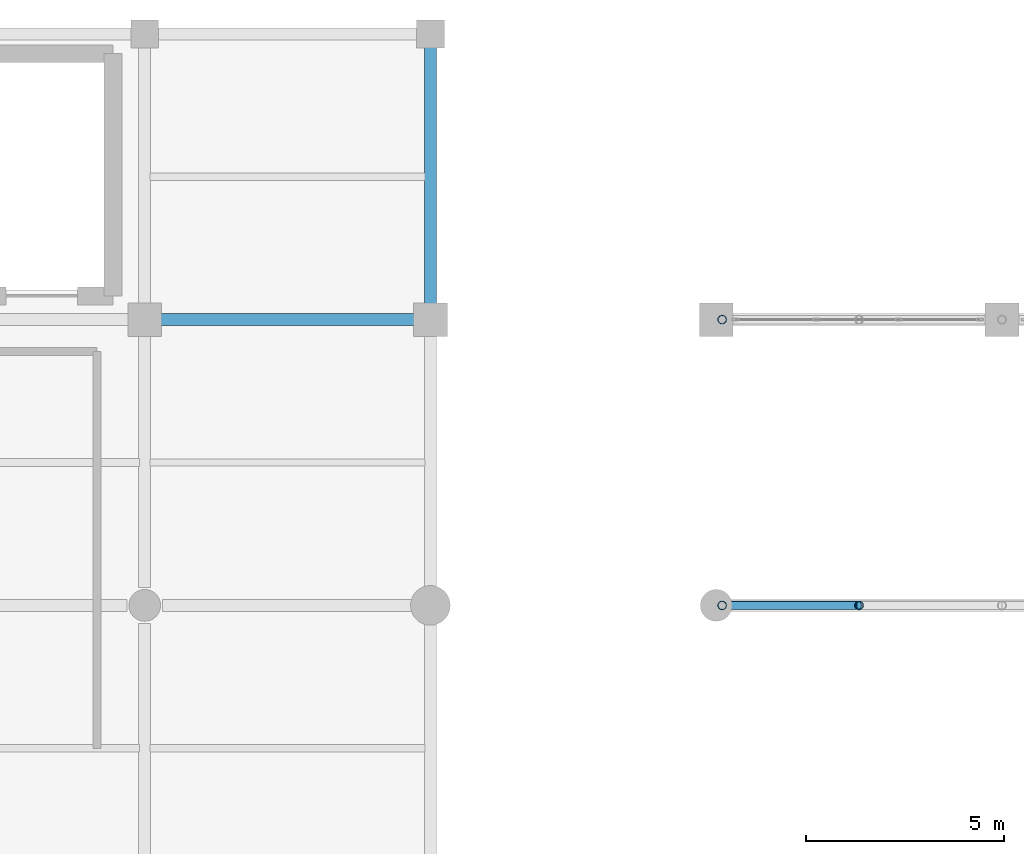
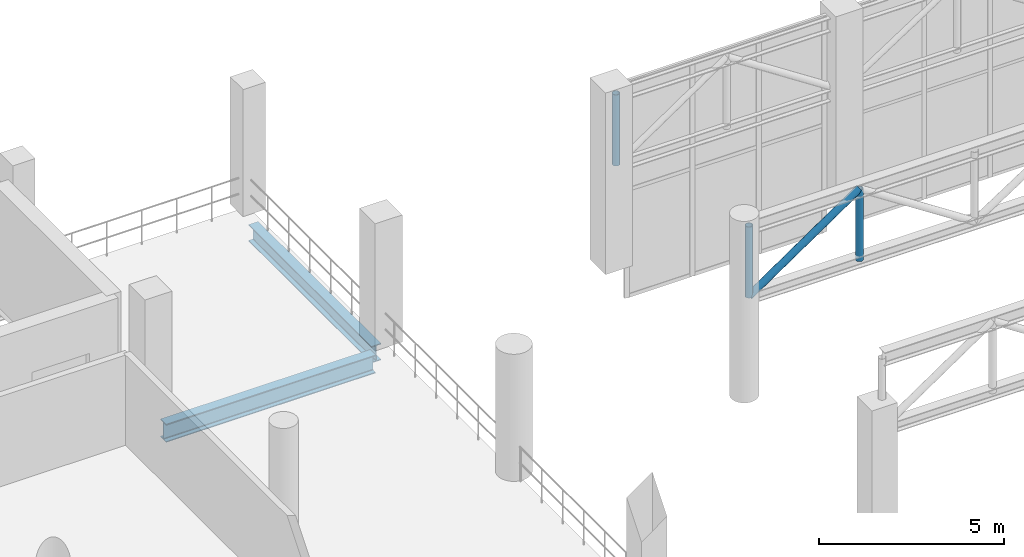
# One storey, part 61 of 153: 4 members, 2 beams.
"""IFC4 building model written with IfcOpenShell, lengths in metres."""

from ifc_helpers import new_model, si_unit, direction, frame, origin, origin_2d, place, context, subcontext, project, spatial, hollow_circle, i_section, extrude, material, material_profile, profile_set, type_object, element, save


model = new_model("IFC4")

# Units and contexts
model_context = context("Model", 3, precision=1e-05, world=origin(), true_north=direction((0.0, 1.0)))
body_context = subcontext(model_context, "Body", "Model", "MODEL_VIEW")
ifc_project = project(units=[si_unit("LENGTHUNIT", "METRE"), si_unit("AREAUNIT", "SQUARE_METRE"), si_unit("VOLUMEUNIT", "CUBIC_METRE"), si_unit("PLANEANGLEUNIT", "RADIAN"), si_unit("MASSUNIT", "GRAM", prefix="KILO")], contexts=[model_context])

# Site, building, storey
site_placement = place(None, origin())
site = spatial("IfcSite", under=ifc_project, at=site_placement, CompositionType="ELEMENT")
building_placement = place(site_placement, origin())
building = spatial("IfcBuilding", under=site, at=building_placement, Name="Qandorah Velis Arena", CompositionType="ELEMENT")
storey_placement = place(building_placement, frame((0.0, 0.0, 5.39990234375)))
storey = spatial("IfcBuildingStorey", under=building, at=storey_placement, Name="L01", CompositionType="ELEMENT", Elevation=5.39990234375)

# Beams
ifc_material = material(Name="Steel S355", Category="steel")
ifc_material_profile_1 = material_profile(ifc_material, i_section(OverallWidth=0.300048828125, OverallDepth=0.550048828125, WebThickness=0.014892578125, FlangeThickness=0.029052734375, FilletRadius=0.027099609375, at=origin_2d()), Name="HEB 550")
ifc_profile_set_1 = profile_set([ifc_material_profile_1], Name="Steel S355")
beam_type_1 = type_object("IfcBeamType", Name="STR-BM-HEB550", PredefinedType="BEAM", material=ifc_profile_set_1)
beam_1_placement = place(storey_placement, frame((115.199951171875, 122.64990234375, -0.635009765625), z_axis=(0.0, 1.0, 0.0), x_axis=(-1.0, 0.0, 0.0)))
element("IfcBeam", 1, at=beam_1_placement, inside=storey, type_object=beam_type_1, Name="Primary floor girder L01 Y-393", PredefinedType="BEAM", context=body_context, shape_type="SweptSolid", body=[
    extrude(i_section(OverallWidth=0.300048828125, OverallDepth=0.550048828125, WebThickness=0.014892578125, FlangeThickness=0.029052734375, FilletRadius=0.027099609375, at=origin_2d()), origin(), (0.0, 0.0, 1.0), 6.650146484375),
])
ifc_material_profile_2 = material_profile(ifc_material, i_section(OverallWidth=0.300048828125, OverallDepth=0.60009765625, WebThickness=0.015380859375, FlangeThickness=0.030029296875, FilletRadius=0.027099609375, at=origin_2d()), Name="HEB 600")
ifc_profile_set_2 = profile_set([ifc_material_profile_2], Name="Steel S355")
beam_type_2 = type_object("IfcBeamType", Name="STR-BM-HEB600", PredefinedType="BEAM", material=ifc_profile_set_2)
beam_2_placement = place(storey_placement, frame((108.39990234375, 122.39990234375, -0.659912109375), z_axis=(1.0, 0.0, 0.0), x_axis=(0.0, 1.0, 0.0)))
element("IfcBeam", 2, at=beam_2_placement, inside=storey, type_object=beam_type_2, Name="Primary floor girder L01 X-202", PredefinedType="BEAM", context=body_context, shape_type="SweptSolid", body=[
    extrude(i_section(OverallWidth=0.300048828125, OverallDepth=0.60009765625, WebThickness=0.015380859375, FlangeThickness=0.030029296875, FilletRadius=0.027099609375, at=origin_2d()), origin(), (0.0, 0.0, 1.0), 6.550048828125),
])

# Members
ifc_material_profile_3 = material_profile(ifc_material, hollow_circle(Radius=0.109619140625, WallThickness=0.010009765625, at=origin_2d()), Name="CHS 219.1x10")
ifc_profile_set_3 = profile_set([ifc_material_profile_3], Name="Steel S355")
member_type = type_object("IfcMemberType", Name="STR-SFD-CHS219X10", PredefinedType="STRUT", material=ifc_profile_set_3)
member_1_placement = place(storey_placement, frame((122.550048828125, 115.199951171875, 3.205078125), z_axis=(0.0, 0.0, 1.0), x_axis=(1.0, 0.0, 0.0)))
element("IfcMember", 3, at=member_1_placement, inside=storey, type_object=member_type, Name="Practice court roof truss 4 vertical 1", PredefinedType="STRUT", context=body_context, shape_type="SweptSolid", body=[
    extrude(hollow_circle(Radius=0.109619140625, WallThickness=0.010009765625, at=origin_2d()), origin(), (0.0, 0.0, 1.0), 2.35009765625),
])
member_2_placement = place(storey_placement, frame((122.550048828125, 115.199951171875, 3.205078125), z_axis=(0.826466079645, 0.0, 0.562986517774), x_axis=(0.0, 1.0, 0.0)))
element("IfcMember", 4, at=member_2_placement, inside=storey, type_object=member_type, Name="Practice court roof truss 4 web diagonal 1", PredefinedType="STRUT", context=body_context, shape_type="SweptSolid", body=[
    extrude(hollow_circle(Radius=0.109619140625, WallThickness=0.010009765625, at=origin_2d()), origin(), (0.0, 0.0, 1.0), 4.17431640625),
])
for number, where, z_axis, x_axis, name in (
    (5, (126.0, 115.199951171875, 3.205078125), (0.0, 0.0, 1.0), (1.0, 0.0, 0.0), "Practice court roof truss 4 vertical 2"),
    (6, (122.550048828125, 122.39990234375, 3.205078125), (0.0, 0.0, 1.0), (1.0, 0.0, 0.0), "Practice court roof truss 5 vertical 1"),
):
    element("IfcMember", number, at=place(storey_placement, frame(where, z_axis=z_axis, x_axis=x_axis)), inside=storey, type_object=member_type, Name=name, PredefinedType="STRUT", context=body_context, shape_type="SweptSolid", body=[
        extrude(hollow_circle(Radius=0.109619140625, WallThickness=0.010009765625, at=origin_2d()), origin(), (0.0, 0.0, 1.0), 2.35009765625),
    ])

save(model, "model.ifc")
